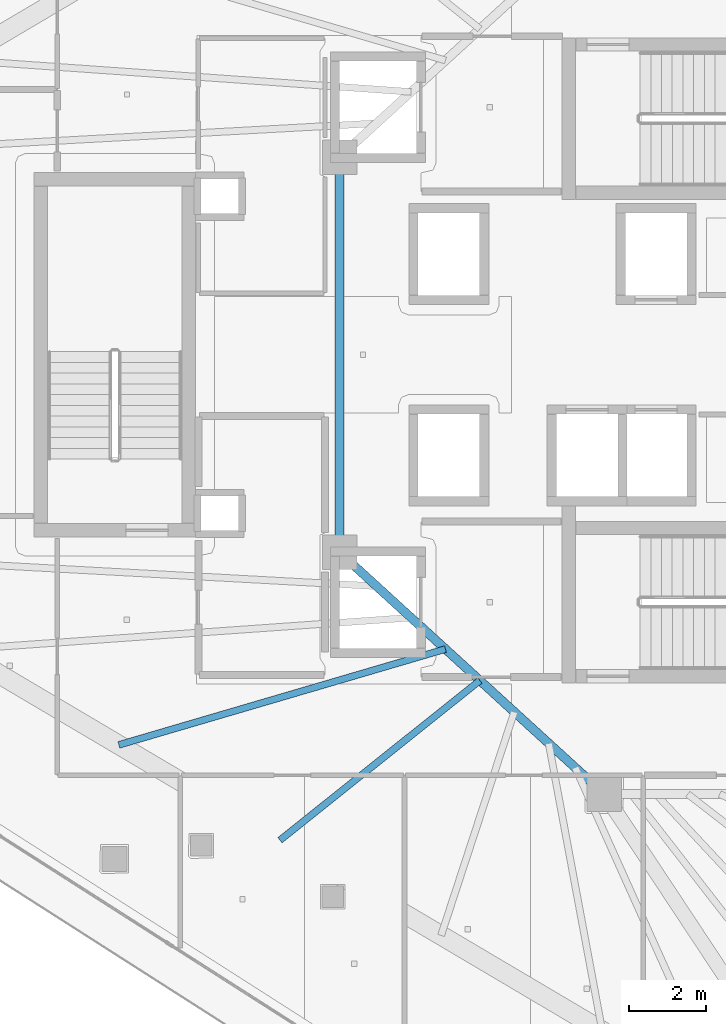
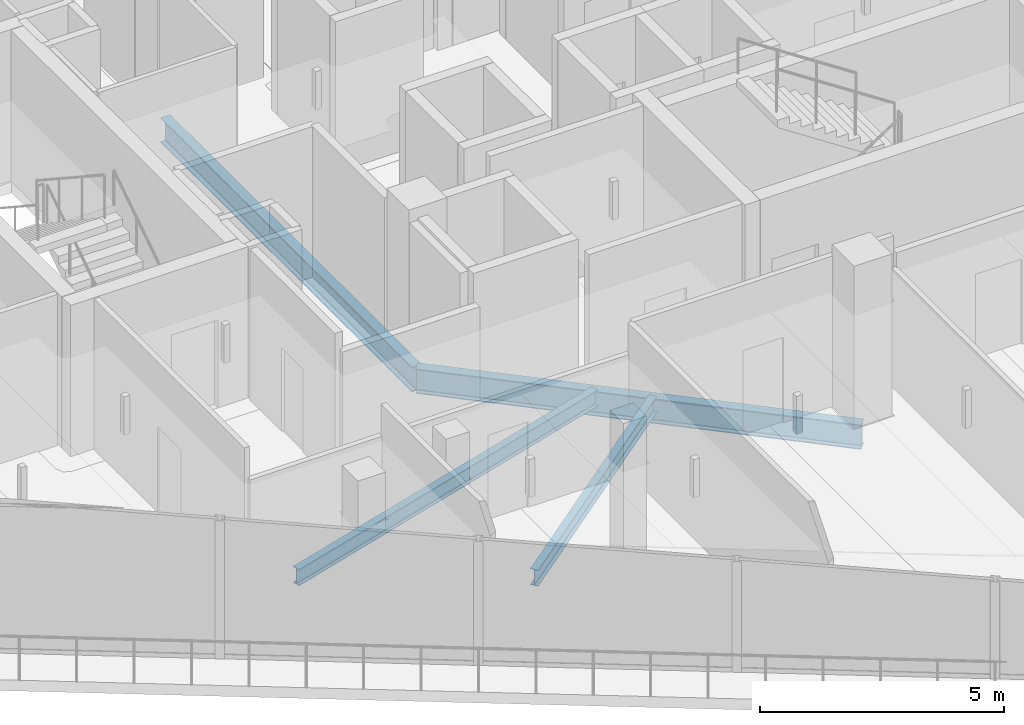
# One storey, part 9 of 36: 4 beams.
"""IFC4 building model written with IfcOpenShell, lengths in metres."""

from ifc_helpers import new_model, si_unit, direction, frame, origin, origin_2d, place, context, subcontext, project, spatial, i_section, extrude, material, material_profile, profile_set, type_object, element, save


model = new_model("IFC4")

# Units and contexts
model_context = context("Model", 3, precision=1e-05, world=origin(), true_north=direction((0.0, 1.0)))
body_context = subcontext(model_context, "Body", "Model", "MODEL_VIEW")
ifc_project = project(units=[si_unit("LENGTHUNIT", "METRE"), si_unit("AREAUNIT", "SQUARE_METRE"), si_unit("VOLUMEUNIT", "CUBIC_METRE"), si_unit("PLANEANGLEUNIT", "RADIAN"), si_unit("MASSUNIT", "GRAM", prefix="KILO")], contexts=[model_context])

# Site, building, storey
site_placement = place(None, origin())
site = spatial("IfcSite", under=ifc_project, at=site_placement, CompositionType="ELEMENT")
building_placement = place(site_placement, origin())
building = spatial("IfcBuilding", under=site, at=building_placement, Name="Qorvath Tower", CompositionType="ELEMENT")
storey_placement = place(building_placement, frame((0.0, 0.0, 229.35009765625)))
storey = spatial("IfcBuildingStorey", under=building, at=storey_placement, Name="L53", CompositionType="ELEMENT", Elevation=229.35009765625)

# Beams
ifc_material_1 = material(Name="Steel ASTM A992 Grade 50", Category="steel")
ifc_material_profile_1 = material_profile(ifc_material_1, i_section(OverallWidth=0.22998046875, OverallDepth=0.616943359375, WebThickness=0.01318359375, FlangeThickness=0.022216796875, FilletRadius=0.014892578125, at=origin_2d()), Name="W24x94")
ifc_profile_set_1 = profile_set([ifc_material_profile_1], Name="Steel ASTM A992 Grade 50")
beam_type_1 = type_object("IfcBeamType", Name="BM-FG6", PredefinedType="BEAM", material=ifc_profile_set_1)
beam_1_placement = place(storey_placement, frame((-23.60009765625, -11.449951171875, -0.57861328125), z_axis=(-0.73847813985, 0.6742774184, 0.0), x_axis=(-0.6742774184, -0.73847813985, 0.0)))
element("IfcBeam", 1, at=beam_1_placement, inside=storey, type_object=beam_type_1, Name="Core Ring Girder CC4-CC6 L53", PredefinedType="BEAM", context=body_context, shape_type="SweptSolid", body=[
    extrude(i_section(OverallWidth=0.22998046875, OverallDepth=0.616943359375, WebThickness=0.01318359375, FlangeThickness=0.022216796875, FilletRadius=0.014892578125, at=origin_2d()), origin(), (0.0, 0.0, 1.0), 9.343505859375),
])
beam_2_placement = place(storey_placement, frame((-30.5, -5.14990234375, -0.57861328125), z_axis=(0.0, 1.0, 0.0), x_axis=(-1.0, 0.0, 0.0)))
element("IfcBeam", 2, at=beam_2_placement, inside=storey, type_object=beam_type_1, Name="Core Ring Girder CC6-CC5 L53", PredefinedType="BEAM", context=body_context, shape_type="SweptSolid", body=[
    extrude(i_section(OverallWidth=0.22998046875, OverallDepth=0.616943359375, WebThickness=0.01318359375, FlangeThickness=0.022216796875, FilletRadius=0.014892578125, at=origin_2d()), origin(), (0.0, 0.0, 1.0), 10.2998046875),
])
ifc_material_2 = material(Name="Steel ASTM A992 Grade 50", Category="steel")
ifc_material_profile_2 = material_profile(ifc_material_2, i_section(OverallWidth=0.177978515625, OverallDepth=0.406005859375, WebThickness=0.0078125, FlangeThickness=0.0126953125, FilletRadius=0.010986328125, at=origin_2d()), Name="W16x40")
ifc_profile_set_2 = profile_set([ifc_material_profile_2], Name="Steel ASTM A992 Grade 50")
beam_type_2 = type_object("IfcBeamType", Name="BM-FJ3", PredefinedType="JOIST", material=ifc_profile_set_2)
beam_3_placement = place(storey_placement, frame((-27.739990234375, -7.669921875, -0.472900390625), z_axis=(-0.959544992264, -0.281555337049, 0.0), x_axis=(0.281555337049, -0.959544992264, 0.0)))
element("IfcBeam", 3, at=beam_3_placement, inside=storey, type_object=beam_type_2, Name="Composite Floor Joist SW3 L53", PredefinedType="JOIST", context=body_context, shape_type="SweptSolid", body=[
    extrude(i_section(OverallWidth=0.177978515625, OverallDepth=0.406005859375, WebThickness=0.0078125, FlangeThickness=0.0126953125, FilletRadius=0.010986328125, at=origin_2d()), origin(), (0.0, 0.0, 1.0), 8.87060546875),
])
beam_4_placement = place(storey_placement, frame((-26.843017578125, -8.489013671875, -0.472900390625), z_axis=(-0.781336553339, -0.624109918537, 0.0), x_axis=(0.624109918537, -0.781336553339, 0.0)))
element("IfcBeam", 4, at=beam_4_placement, inside=storey, type_object=beam_type_2, Name="Composite Floor Joist SW4 L53", PredefinedType="JOIST", context=body_context, shape_type="SweptSolid", body=[
    extrude(i_section(OverallWidth=0.177978515625, OverallDepth=0.406005859375, WebThickness=0.0078125, FlangeThickness=0.0126953125, FilletRadius=0.010986328125, at=origin_2d()), origin(), (0.0, 0.0, 1.0), 6.667724609375),
])

save(model, "model.ifc")
